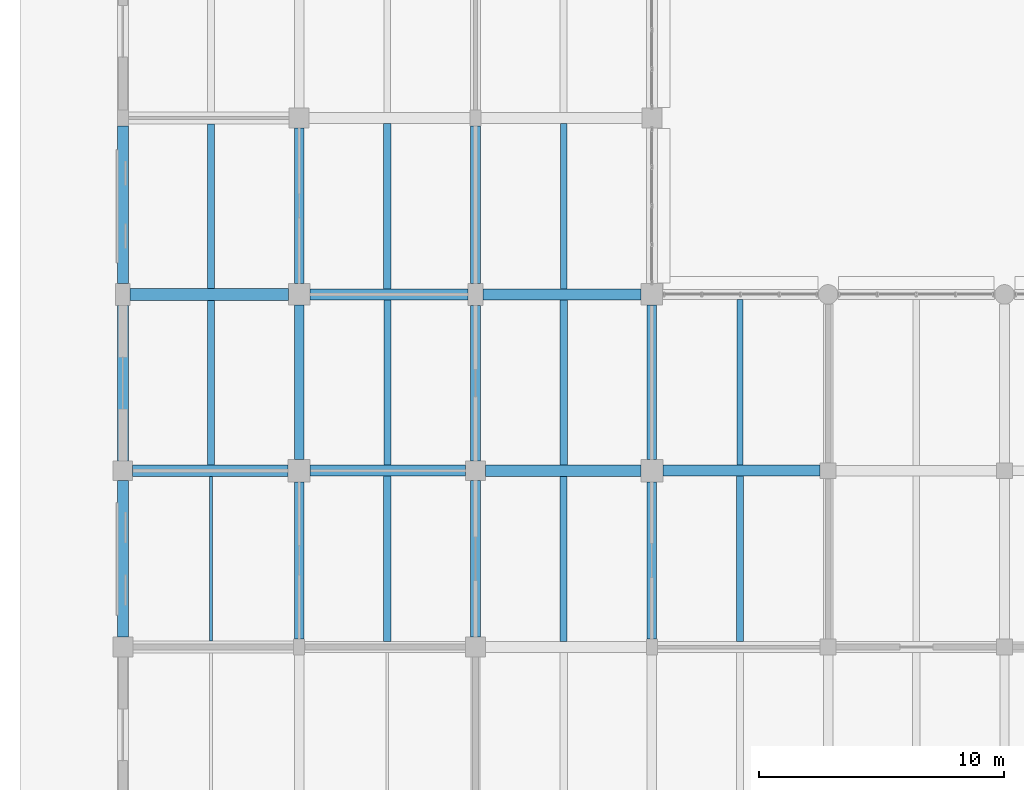
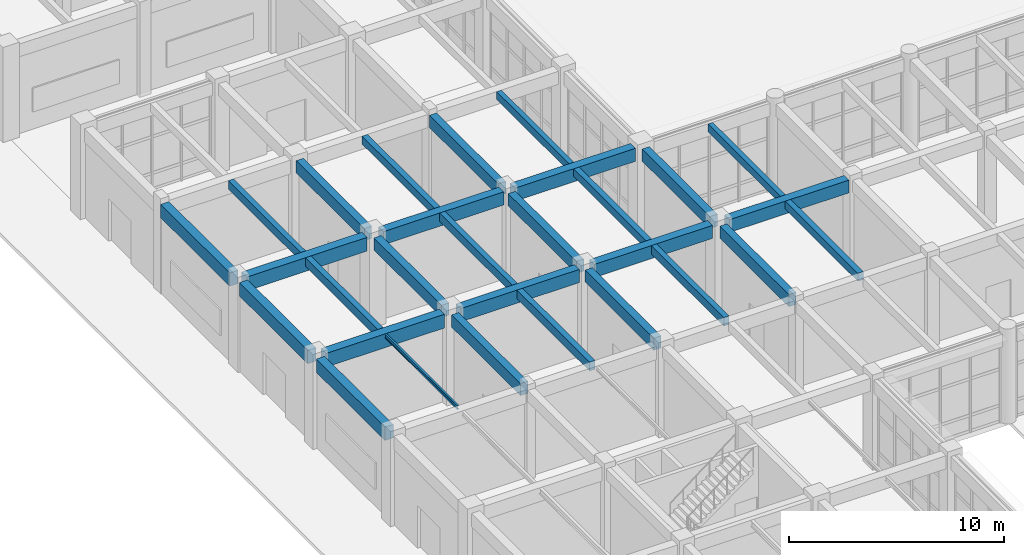
# One storey, part 45 of 160: 29 beams.
"""IFC4 building model written with IfcOpenShell, lengths in metres."""

from ifc_helpers import new_model, si_unit, direction, frame, origin, origin_2d, place, context, subcontext, project, spatial, rectangle, i_section, extrude, material, material_profile, profile_set, type_object, element, save


model = new_model("IFC4")

# Units and contexts
model_context = context("Model", 3, precision=1e-05, world=origin(), true_north=direction((0.0, 1.0)))
body_context = subcontext(model_context, "Body", "Model", "MODEL_VIEW")
ifc_project = project(units=[si_unit("LENGTHUNIT", "METRE"), si_unit("AREAUNIT", "SQUARE_METRE"), si_unit("VOLUMEUNIT", "CUBIC_METRE"), si_unit("PLANEANGLEUNIT", "RADIAN"), si_unit("MASSUNIT", "GRAM", prefix="KILO")], contexts=[model_context])

# Site, building, storey
site_placement = place(None, origin())
site = spatial("IfcSite", under=ifc_project, at=site_placement, CompositionType="ELEMENT")
building_placement = place(site_placement, origin())
building = spatial("IfcBuilding", under=site, at=building_placement, Name="Thalmaran Polytechnic", CompositionType="ELEMENT")
storey_placement = place(building_placement, origin())
storey = spatial("IfcBuildingStorey", under=building, at=storey_placement, Name="L00", CompositionType="ELEMENT", Elevation=0.0)

# Beams
ifc_material_1 = material(Name="Concrete C40/50", Category="concrete")
ifc_material_profile_1 = material_profile(ifc_material_1, rectangle(XDim=0.449951171875, YDim=0.75, at=origin_2d()), Name="RC 450x750")
ifc_profile_set_1 = profile_set([ifc_material_profile_1], Name="Concrete C40/50")
beam_type_1 = type_object("IfcBeamType", Name="BM-RC03", PredefinedType="BEAM", material=ifc_profile_set_1)
beam_1_placement = place(storey_placement, frame((7.64990234375, 64.800048828125, 4.715087890625), z_axis=(1.0, 0.0, 0.0), x_axis=(0.0, 1.0, 0.0)))
element("IfcBeam", 1, at=beam_1_placement, inside=storey, type_object=beam_type_1, Name="Grid Beam B03 L00 X(1,9)", PredefinedType="BEAM", context=body_context, shape_type="SweptSolid", body=[
    extrude(rectangle(XDim=0.449951171875, YDim=0.75, at=origin_2d()), origin(), (0.0, 0.0, 1.0), 6.35009765625),
])
beam_2_placement = place(storey_placement, frame((7.639892578125, 72.0, 4.715087890625), z_axis=(1.0, 0.0, 0.0), x_axis=(0.0, 1.0, 0.0)))
element("IfcBeam", 2, at=beam_2_placement, inside=storey, type_object=beam_type_1, Name="Grid Beam B03 L00 X(1,10)", PredefinedType="BEAM", context=body_context, shape_type="SweptSolid", body=[
    extrude(rectangle(XDim=0.449951171875, YDim=0.75, at=origin_2d()), origin(), (0.0, 0.0, 1.0), 6.460205078125),
])
ifc_material_profile_2 = material_profile(ifc_material_1, rectangle(XDim=0.449951171875, YDim=0.72509765625, at=origin_2d()), Name="RC 450x725")
ifc_profile_set_2 = profile_set([ifc_material_profile_2], Name="Concrete C40/50")
beam_type_2 = type_object("IfcBeamType", Name="BM-RC04", PredefinedType="BEAM", material=ifc_profile_set_2)
beam_3_placement = place(storey_placement, frame((22.050048828125, 64.800048828125, 4.7275390625), z_axis=(1.0, 0.0, 0.0), x_axis=(0.0, 1.0, 0.0)))
element("IfcBeam", 3, at=beam_3_placement, inside=storey, type_object=beam_type_2, Name="Grid Beam B04 L00 X(3,9)", PredefinedType="BEAM", context=body_context, shape_type="SweptSolid", body=[
    extrude(rectangle(XDim=0.449951171875, YDim=0.72509765625, at=origin_2d()), origin(), (0.0, 0.0, 1.0), 6.425048828125),
])
ifc_material_profile_3 = material_profile(ifc_material_1, rectangle(XDim=0.389892578125, YDim=0.68505859375, at=origin_2d()), Name="RC 390x685")
ifc_profile_set_3 = profile_set([ifc_material_profile_3], Name="Concrete C40/50")
beam_type_3 = type_object("IfcBeamType", Name="BM-RC08", PredefinedType="BEAM", material=ifc_profile_set_3)
beam_4_placement = place(storey_placement, frame((7.199951171875, 57.925048828125, 4.74755859375), z_axis=(0.0, 1.0, 0.0), x_axis=(-1.0, 0.0, 0.0)))
element("IfcBeam", 4, at=beam_4_placement, inside=storey, type_object=beam_type_3, Name="Grid Beam B08 L00 Y(1,8)", PredefinedType="BEAM", context=body_context, shape_type="SweptSolid", body=[
    extrude(rectangle(XDim=0.389892578125, YDim=0.68505859375, at=origin_2d()), origin(), (0.0, 0.0, 1.0), 6.425048828125),
])
beam_5_placement = place(storey_placement, frame((14.39990234375, 58.010009765625, 4.74755859375), z_axis=(0.0, 1.0, 0.0), x_axis=(-1.0, 0.0, 0.0)))
element("IfcBeam", 5, at=beam_5_placement, inside=storey, type_object=beam_type_3, Name="Grid Beam B08 L00 Y(2,8)", PredefinedType="BEAM", context=body_context, shape_type="SweptSolid", body=[
    extrude(rectangle(XDim=0.389892578125, YDim=0.68505859375, at=origin_2d()), origin(), (0.0, 0.0, 1.0), 6.389892578125),
])
beam_6_placement = place(storey_placement, frame((21.60009765625, 57.925048828125, 4.74755859375), z_axis=(0.0, 1.0, 0.0), x_axis=(-1.0, 0.0, 0.0)))
element("IfcBeam", 6, at=beam_6_placement, inside=storey, type_object=beam_type_3, Name="Grid Beam B08 L00 Y(3,8)", PredefinedType="BEAM", context=body_context, shape_type="SweptSolid", body=[
    extrude(rectangle(XDim=0.389892578125, YDim=0.68505859375, at=origin_2d()), origin(), (0.0, 0.0, 1.0), 6.425048828125),
])
ifc_material_profile_4 = material_profile(ifc_material_1, rectangle(XDim=0.389892578125, YDim=0.68994140625, at=origin_2d()), Name="RC 390x690")
ifc_profile_set_4 = profile_set([ifc_material_profile_4], Name="Concrete C40/50")
beam_type_4 = type_object("IfcBeamType", Name="BM-RC09", PredefinedType="BEAM", material=ifc_profile_set_4)
beam_7_placement = place(storey_placement, frame((7.199951171875, 72.43994140625, 4.7451171875), z_axis=(0.0, 1.0, 0.0), x_axis=(-1.0, 0.0, 0.0)))
element("IfcBeam", 7, at=beam_7_placement, inside=storey, type_object=beam_type_4, Name="Grid Beam B09 L00 Y(1,10)", PredefinedType="BEAM", context=body_context, shape_type="SweptSolid", body=[
    extrude(rectangle(XDim=0.389892578125, YDim=0.68994140625, at=origin_2d()), origin(), (0.0, 0.0, 1.0), 6.35009765625),
])
beam_8_placement = place(storey_placement, frame((14.39990234375, 72.449951171875, 4.7451171875), z_axis=(0.0, 1.0, 0.0), x_axis=(-1.0, 0.0, 0.0)))
element("IfcBeam", 8, at=beam_8_placement, inside=storey, type_object=beam_type_4, Name="Grid Beam B09 L00 Y(2,10)", PredefinedType="BEAM", context=body_context, shape_type="SweptSolid", body=[
    extrude(rectangle(XDim=0.389892578125, YDim=0.68994140625, at=origin_2d()), origin(), (0.0, 0.0, 1.0), 6.425048828125),
])
ifc_material_profile_5 = material_profile(ifc_material_1, rectangle(XDim=0.300048828125, YDim=0.5, at=origin_2d()), Name="RC 300x500")
ifc_profile_set_5 = profile_set([ifc_material_profile_5], Name="Concrete C40/50")
beam_type_5 = type_object("IfcBeamType", Name="BM-RC11", PredefinedType="JOIST", material=ifc_profile_set_5)
beam_9_placement = place(storey_placement, frame((3.60009765625, 65.0400390625, 4.840087890625), z_axis=(0.0, 1.0, 0.0), x_axis=(-1.0, 0.0, 0.0)))
element("IfcBeam", 9, at=beam_9_placement, inside=storey, type_object=beam_type_5, Name="Secondary Floor Rib RB01 L00 (0,9)", PredefinedType="JOIST", context=body_context, shape_type="SweptSolid", body=[
    extrude(rectangle(XDim=0.300048828125, YDim=0.5, at=origin_2d()), origin(), (0.0, 0.0, 1.0), 6.719970703125),
])
beam_10_placement = place(storey_placement, frame((10.800048828125, 57.824951171875, 4.840087890625), z_axis=(0.0, 1.0, 0.0), x_axis=(-1.0, 0.0, 0.0)))
element("IfcBeam", 10, at=beam_10_placement, inside=storey, type_object=beam_type_5, Name="Secondary Floor Rib RB01 L00 (1,8)", PredefinedType="JOIST", context=body_context, shape_type="SweptSolid", body=[
    extrude(rectangle(XDim=0.300048828125, YDim=0.5, at=origin_2d()), origin(), (0.0, 0.0, 1.0), 6.75),
])
ifc_material_profile_6 = material_profile(ifc_material_1, rectangle(XDim=0.300048828125, YDim=0.449951171875, at=origin_2d()), Name="RC 300x450")
ifc_profile_set_6 = profile_set([ifc_material_profile_6], Name="Concrete C40/50")
beam_type_6 = type_object("IfcBeamType", Name="BM-RC12", PredefinedType="JOIST", material=ifc_profile_set_6)
beam_11_placement = place(storey_placement, frame((10.800048828125, 72.22509765625, 4.864990234375), z_axis=(0.0, 1.0, 0.0), x_axis=(-1.0, 0.0, 0.0)))
element("IfcBeam", 11, at=beam_11_placement, inside=storey, type_object=beam_type_6, Name="Secondary Floor Rib RB02 L00 (1,10)", PredefinedType="JOIST", context=body_context, shape_type="SweptSolid", body=[
    extrude(rectangle(XDim=0.300048828125, YDim=0.449951171875, at=origin_2d()), origin(), (0.0, 0.0, 1.0), 6.75),
])
beam_12_placement = place(storey_placement, frame((18.0, 65.030029296875, 4.864990234375), z_axis=(0.0, 1.0, 0.0), x_axis=(-1.0, 0.0, 0.0)))
element("IfcBeam", 12, at=beam_12_placement, inside=storey, type_object=beam_type_6, Name="Secondary Floor Rib RB02 L00 (2,9)", PredefinedType="JOIST", context=body_context, shape_type="SweptSolid", body=[
    extrude(rectangle(XDim=0.300048828125, YDim=0.449951171875, at=origin_2d()), origin(), (0.0, 0.0, 1.0), 6.739990234375),
])
beam_13_placement = place(storey_placement, frame((25.199951171875, 57.824951171875, 4.864990234375), z_axis=(0.0, 1.0, 0.0), x_axis=(-1.0, 0.0, 0.0)))
element("IfcBeam", 13, at=beam_13_placement, inside=storey, type_object=beam_type_6, Name="Secondary Floor Rib RB02 L00 (3,8)", PredefinedType="JOIST", context=body_context, shape_type="SweptSolid", body=[
    extrude(rectangle(XDim=0.300048828125, YDim=0.449951171875, at=origin_2d()), origin(), (0.0, 0.0, 1.0), 6.75),
])
ifc_material_2 = material(Name="Steel S355", Category="steel")
ifc_material_profile_7 = material_profile(ifc_material_2, i_section(OverallWidth=0.110107421875, OverallDepth=0.219970703125, WebThickness=0.005859375, FlangeThickness=0.00927734375, at=origin_2d()), Name="IPE 220")
ifc_profile_set_7 = profile_set([ifc_material_profile_7], Name="Steel S355")
beam_type_7 = type_object("IfcBeamType", Name="BM-SJ04", PredefinedType="JOIST", material=ifc_profile_set_7)
beam_14_placement = place(storey_placement, frame((3.60009765625, 57.840087890625, 4.97998046875), z_axis=(0.0, 1.0, 0.0), x_axis=(-1.0, 0.0, 0.0)))
element("IfcBeam", 14, at=beam_14_placement, inside=storey, type_object=beam_type_7, Name="Secondary Floor Rib SJ04 L00 (0,8)", PredefinedType="JOIST", context=body_context, shape_type="SweptSolid", body=[
    extrude(i_section(OverallWidth=0.110107421875, OverallDepth=0.219970703125, WebThickness=0.005859375, FlangeThickness=0.00927734375, at=origin_2d()), origin(), (0.0, 0.0, 1.0), 6.719970703125),
])
ifc_material_profile_8 = material_profile(ifc_material_1, rectangle(XDim=0.449951171875, YDim=0.7548828125, at=origin_2d()), Name="RC 450x755")
ifc_profile_set_8 = profile_set([ifc_material_profile_8], Name="Concrete C40/50")
beam_type_8 = type_object("IfcBeamType", Name="BM-SP02", PredefinedType="SPANDREL", material=ifc_profile_set_8)
beam_15_placement = place(storey_placement, frame((0.0, 58.010009765625, 4.71240234375), z_axis=(0.0, 1.0, 0.0), x_axis=(-1.0, 0.0, 0.0)))
element("IfcBeam", 15, at=beam_15_placement, inside=storey, type_object=beam_type_8, Name="Grid Beam SP02 L00 Y(0,8)", PredefinedType="SPANDREL", context=body_context, shape_type="SweptSolid", body=[
    extrude(rectangle(XDim=0.449951171875, YDim=0.7548828125, at=origin_2d()), origin(), (0.0, 0.0, 1.0), 6.389892578125),
])
beam_16_placement = place(storey_placement, frame((0.0, 65.199951171875, 4.71240234375), z_axis=(0.0, 1.0, 0.0), x_axis=(-1.0, 0.0, 0.0)))
element("IfcBeam", 16, at=beam_16_placement, inside=storey, type_object=beam_type_8, Name="Grid Beam SP02 L00 Y(0,9)", PredefinedType="SPANDREL", context=body_context, shape_type="SweptSolid", body=[
    extrude(rectangle(XDim=0.449951171875, YDim=0.7548828125, at=origin_2d()), origin(), (0.0, 0.0, 1.0), 6.35009765625),
])
beam_17_placement = place(storey_placement, frame((0.0, 72.449951171875, 4.71240234375), z_axis=(0.0, 1.0, 0.0), x_axis=(-1.0, 0.0, 0.0)))
element("IfcBeam", 17, at=beam_17_placement, inside=storey, type_object=beam_type_8, Name="Grid Beam SP02 L00 Y(0,10)", PredefinedType="SPANDREL", context=body_context, shape_type="SweptSolid", body=[
    extrude(rectangle(XDim=0.449951171875, YDim=0.7548828125, at=origin_2d()), origin(), (0.0, 0.0, 1.0), 6.425048828125),
])
ifc_material_profile_9 = material_profile(ifc_material_1, rectangle(XDim=0.47998046875, YDim=0.780029296875, at=origin_2d()), Name="RC 480x780")
ifc_profile_set_9 = profile_set([ifc_material_profile_9], Name="Concrete C40/50")
beam_type_9 = type_object("IfcBeamType", Name="BM-ZB01", PredefinedType="BEAM", material=ifc_profile_set_9)
beam_18_placement = place(storey_placement, frame((0.39990234375, 64.800048828125, 4.699951171875), z_axis=(1.0, 0.0, 0.0), x_axis=(0.0, 1.0, 0.0)))
element("IfcBeam", 18, at=beam_18_placement, inside=storey, type_object=beam_type_9, Name="Grid Beam ZB01 L00 X(0,9)", PredefinedType="BEAM", context=body_context, shape_type="SweptSolid", body=[
    extrude(rectangle(XDim=0.47998046875, YDim=0.780029296875, at=origin_2d()), origin(), (0.0, 0.0, 1.0), 6.35009765625),
])
beam_19_placement = place(storey_placement, frame((0.300048828125, 72.0, 4.699951171875), z_axis=(1.0, 0.0, 0.0), x_axis=(0.0, 1.0, 0.0)))
element("IfcBeam", 19, at=beam_19_placement, inside=storey, type_object=beam_type_9, Name="Grid Beam ZB01 L00 X(0,10)", PredefinedType="BEAM", context=body_context, shape_type="SweptSolid", body=[
    extrude(rectangle(XDim=0.47998046875, YDim=0.780029296875, at=origin_2d()), origin(), (0.0, 0.0, 1.0), 6.4599609375),
])
ifc_material_profile_10 = material_profile(ifc_material_1, rectangle(XDim=0.4599609375, YDim=0.739990234375, at=origin_2d()), Name="RC 460x740")
ifc_profile_set_10 = profile_set([ifc_material_profile_10], Name="Concrete C40/50")
beam_type_10 = type_object("IfcBeamType", Name="BM-ZB02", PredefinedType="BEAM", material=ifc_profile_set_10)
beam_20_placement = place(storey_placement, frame((14.800048828125, 64.800048828125, 4.719970703125), z_axis=(1.0, 0.0, 0.0), x_axis=(0.0, 1.0, 0.0)))
element("IfcBeam", 20, at=beam_20_placement, inside=storey, type_object=beam_type_10, Name="Grid Beam ZB02 L00 X(2,9)", PredefinedType="BEAM", context=body_context, shape_type="SweptSolid", body=[
    extrude(rectangle(XDim=0.4599609375, YDim=0.739990234375, at=origin_2d()), origin(), (0.0, 0.0, 1.0), 6.349853515625),
])
beam_21_placement = place(storey_placement, frame((14.699951171875, 72.0, 4.719970703125), z_axis=(1.0, 0.0, 0.0), x_axis=(0.0, 1.0, 0.0)))
element("IfcBeam", 21, at=beam_21_placement, inside=storey, type_object=beam_type_10, Name="Grid Beam ZB02 L00 X(2,10)", PredefinedType="BEAM", context=body_context, shape_type="SweptSolid", body=[
    extrude(rectangle(XDim=0.4599609375, YDim=0.739990234375, at=origin_2d()), origin(), (0.0, 0.0, 1.0), 6.4599609375),
])
ifc_material_profile_11 = material_profile(ifc_material_1, rectangle(XDim=0.39990234375, YDim=0.68505859375, at=origin_2d()), Name="RC 400x685")
ifc_profile_set_11 = profile_set([ifc_material_profile_11], Name="Concrete C40/50")
beam_type_11 = type_object("IfcBeamType", Name="BM-ZB07", PredefinedType="BEAM", material=ifc_profile_set_11)
beam_22_placement = place(storey_placement, frame((7.199951171875, 65.25, 4.74755859375), z_axis=(0.0, 1.0, 0.0), x_axis=(-1.0, 0.0, 0.0)))
element("IfcBeam", 22, at=beam_22_placement, inside=storey, type_object=beam_type_11, Name="Grid Beam ZB07 L00 Y(1,9)", PredefinedType="BEAM", context=body_context, shape_type="SweptSolid", body=[
    extrude(rectangle(XDim=0.39990234375, YDim=0.68505859375, at=origin_2d()), origin(), (0.0, 0.0, 1.0), 6.31005859375),
])
beam_23_placement = place(storey_placement, frame((14.39990234375, 65.199951171875, 4.74755859375), z_axis=(0.0, 1.0, 0.0), x_axis=(-1.0, 0.0, 0.0)))
element("IfcBeam", 23, at=beam_23_placement, inside=storey, type_object=beam_type_11, Name="Grid Beam ZB07 L00 Y(2,9)", PredefinedType="BEAM", context=body_context, shape_type="SweptSolid", body=[
    extrude(rectangle(XDim=0.39990234375, YDim=0.68505859375, at=origin_2d()), origin(), (0.0, 0.0, 1.0), 6.35009765625),
])
beam_24_placement = place(storey_placement, frame((21.60009765625, 65.25, 4.74755859375), z_axis=(0.0, 1.0, 0.0), x_axis=(-1.0, 0.0, 0.0)))
element("IfcBeam", 24, at=beam_24_placement, inside=storey, type_object=beam_type_11, Name="Grid Beam ZB07 L00 Y(3,9)", PredefinedType="BEAM", context=body_context, shape_type="SweptSolid", body=[
    extrude(rectangle(XDim=0.39990234375, YDim=0.68505859375, at=origin_2d()), origin(), (0.0, 0.0, 1.0), 6.31005859375),
])
ifc_material_profile_12 = material_profile(ifc_material_1, rectangle(XDim=0.280029296875, YDim=0.47998046875, at=origin_2d()), Name="RC 280x480")
ifc_profile_set_12 = profile_set([ifc_material_profile_12], Name="Concrete C40/50")
beam_type_12 = type_object("IfcBeamType", Name="BM-ZJ01", PredefinedType="JOIST", material=ifc_profile_set_12)
beam_25_placement = place(storey_placement, frame((3.60009765625, 72.239990234375, 4.85009765625), z_axis=(0.0, 1.0, 0.0), x_axis=(-1.0, 0.0, 0.0)))
element("IfcBeam", 25, at=beam_25_placement, inside=storey, type_object=beam_type_12, Name="Secondary Floor Rib ZJ01 L00 (0,10)", PredefinedType="JOIST", context=body_context, shape_type="SweptSolid", body=[
    extrude(rectangle(XDim=0.280029296875, YDim=0.47998046875, at=origin_2d()), origin(), (0.0, 0.0, 1.0), 6.719970703125),
])
beam_26_placement = place(storey_placement, frame((10.800048828125, 65.02490234375, 4.85009765625), z_axis=(0.0, 1.0, 0.0), x_axis=(-1.0, 0.0, 0.0)))
element("IfcBeam", 26, at=beam_26_placement, inside=storey, type_object=beam_type_12, Name="Secondary Floor Rib ZJ01 L00 (1,9)", PredefinedType="JOIST", context=body_context, shape_type="SweptSolid", body=[
    extrude(rectangle(XDim=0.280029296875, YDim=0.47998046875, at=origin_2d()), origin(), (0.0, 0.0, 1.0), 6.75),
])
beam_27_placement = place(storey_placement, frame((18.0, 57.830078125, 4.85009765625), z_axis=(0.0, 1.0, 0.0), x_axis=(-1.0, 0.0, 0.0)))
element("IfcBeam", 27, at=beam_27_placement, inside=storey, type_object=beam_type_12, Name="Secondary Floor Rib ZJ01 L00 (2,8)", PredefinedType="JOIST", context=body_context, shape_type="SweptSolid", body=[
    extrude(rectangle(XDim=0.280029296875, YDim=0.47998046875, at=origin_2d()), origin(), (0.0, 0.0, 1.0), 6.739990234375),
])
ifc_material_profile_13 = material_profile(ifc_material_1, rectangle(XDim=0.260009765625, YDim=0.43994140625, at=origin_2d()), Name="RC 260x440")
ifc_profile_set_13 = profile_set([ifc_material_profile_13], Name="Concrete C40/50")
beam_type_13 = type_object("IfcBeamType", Name="BM-ZJ02", PredefinedType="JOIST", material=ifc_profile_set_13)
beam_28_placement = place(storey_placement, frame((18.0, 72.22998046875, 4.8701171875), z_axis=(0.0, 1.0, 0.0), x_axis=(-1.0, 0.0, 0.0)))
element("IfcBeam", 28, at=beam_28_placement, inside=storey, type_object=beam_type_13, Name="Secondary Floor Rib ZJ02 L00 (2,10)", PredefinedType="JOIST", context=body_context, shape_type="SweptSolid", body=[
    extrude(rectangle(XDim=0.260009765625, YDim=0.43994140625, at=origin_2d()), origin(), (0.0, 0.0, 1.0), 6.739990234375),
])
beam_29_placement = place(storey_placement, frame((25.199951171875, 65.02490234375, 4.8701171875), z_axis=(0.0, 1.0, 0.0), x_axis=(-1.0, 0.0, 0.0)))
element("IfcBeam", 29, at=beam_29_placement, inside=storey, type_object=beam_type_13, Name="Secondary Floor Rib ZJ02 L00 (3,9)", PredefinedType="JOIST", context=body_context, shape_type="SweptSolid", body=[
    extrude(rectangle(XDim=0.260009765625, YDim=0.43994140625, at=origin_2d()), origin(), (0.0, 0.0, 1.0), 6.775146484375),
])

save(model, "model.ifc")
